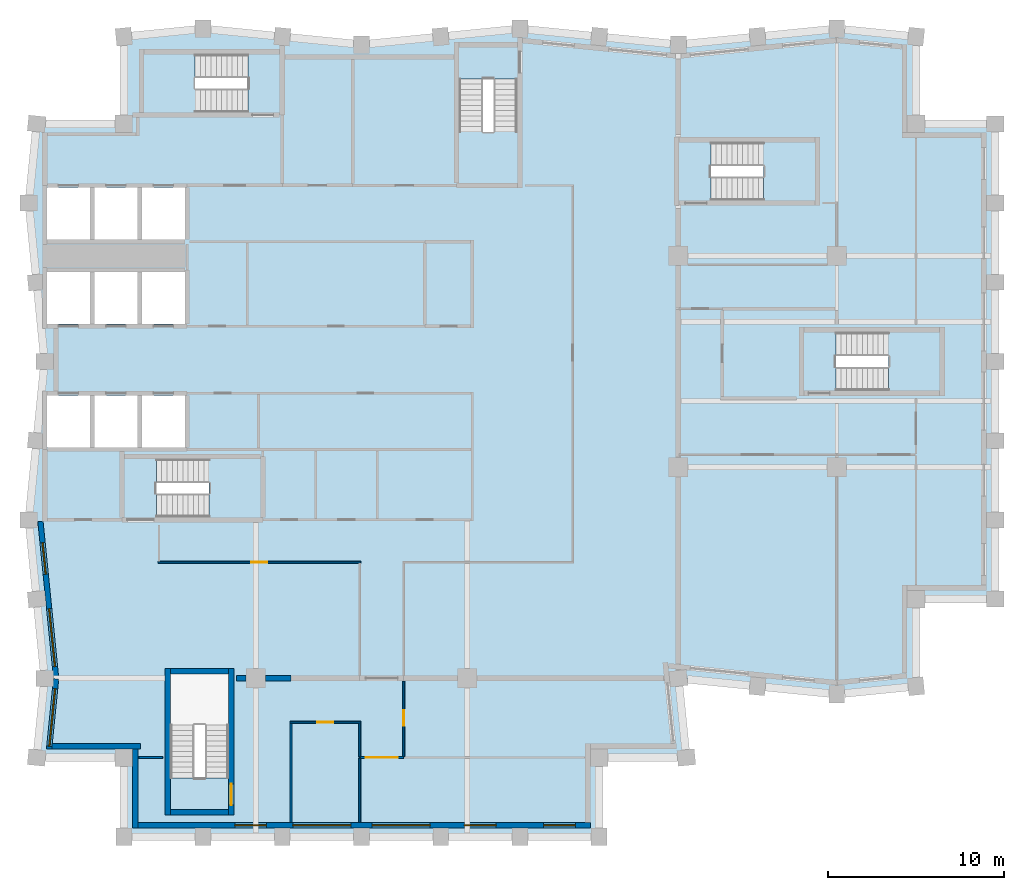
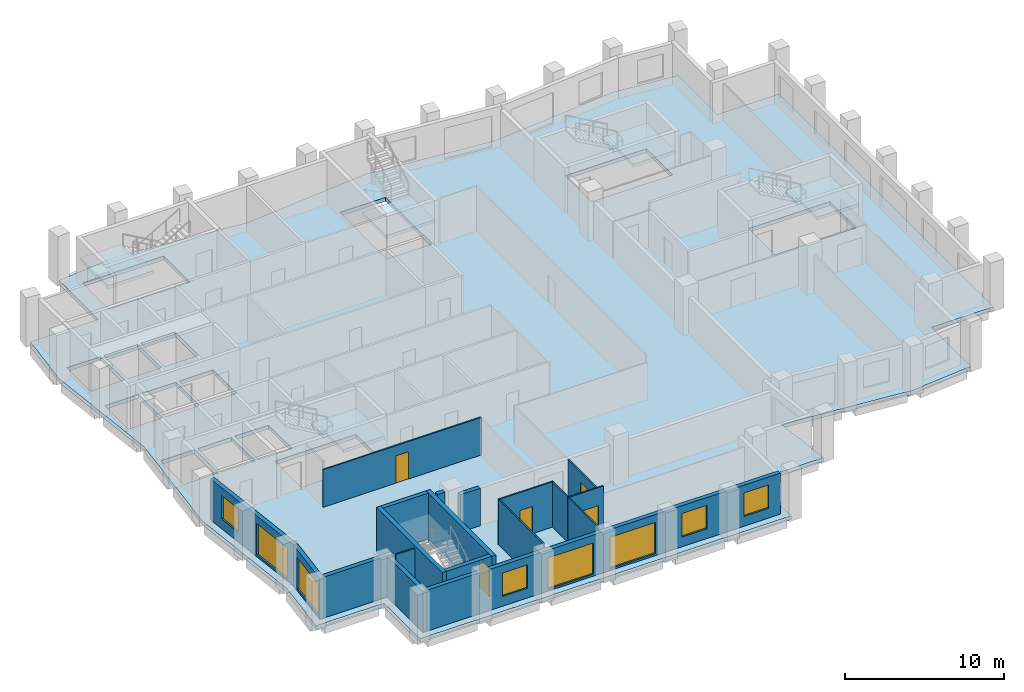
# One storey, part 2 of 7: 19 walls, 8 windows, 6 slabs, 5 doors, 13 openings, 5 elements without a shape of their own.
"""IFC4 building model written with IfcOpenShell, lengths in metres."""

from ifc_helpers import new_model, si_unit, direction, frame, frame_2d, origin, place, context, subcontext, project, spatial, polyline, rectangle, outline, extrude, material, layer, layer_set, type_object, element, fill, aggregate, save


model = new_model("IFC4")

# Units and contexts
model_context = context("Model", 3, precision=1e-05, world=origin(), true_north=direction((0.0, 1.0)))
body_context = subcontext(model_context, "Body", "Model", "MODEL_VIEW")
ifc_project = project(units=[si_unit("LENGTHUNIT", "METRE"), si_unit("AREAUNIT", "SQUARE_METRE"), si_unit("VOLUMEUNIT", "CUBIC_METRE"), si_unit("PLANEANGLEUNIT", "RADIAN"), si_unit("MASSUNIT", "GRAM", prefix="KILO")], contexts=[model_context])

# Site, building, storey
site_placement = place(None, origin())
site = spatial("IfcSite", under=ifc_project, at=site_placement, CompositionType="ELEMENT")
building_placement = place(site_placement, origin())
building = spatial("IfcBuilding", under=site, at=building_placement, Name="Brondeck Convention Tower", CompositionType="ELEMENT")
storey_placement = place(building_placement, frame((0.0, 0.0, 206.39990234375)))
storey = spatial("IfcBuildingStorey", under=building, at=storey_placement, Name="L50", CompositionType="ELEMENT", Elevation=206.39990234375)

# Slab
ifc_material_1 = material(Name="Concrete C35/45", Category="concrete")
ifc_layer_1 = layer(ifc_material_1, 0.300048828125)
ifc_layer_set_1 = layer_set([ifc_layer_1], Name="Composite floor slab 300")
slab_type_1 = type_object("IfcSlabType", Name="Composite floor slab 300", PredefinedType="FLOOR", material=ifc_layer_set_1)
slab_1_placement = place(storey_placement, frame((0.0, 0.0, -0.2998046875)))
element("IfcSlab", 1, at=slab_1_placement, inside=storey, type_object=slab_type_1, Name="STR-SL-L50", PredefinedType="FLOOR", context=body_context, shape_type="SweptSolid", body=[
    extrude(outline(polyline([(4.5, 22.5), (-0.449951171875, 22.5), (0.0, 27.0), (-0.89990234375, 36.0), (0.0, 45.0), (-0.89990234375, 54.0), (-0.449951171875, 58.5), (4.5, 58.5), (4.5, 63.449951171875), (9.0, 63.89990234375), (18.0, 63.0), (27.0, 63.89990234375), (36.0, 63.0), (45.0, 63.89990234375), (49.5, 63.449951171875), (49.5, 58.5), (54.0, 58.5), (54.0, 31.5), (49.5, 31.5), (49.5, 26.550048828125), (45.0, 26.10009765625), (36.0, 27.0), (36.449951171875, 22.5), (31.5, 22.5), (31.5, 18.0), (4.5, 18.0), (4.5, 22.5)]), holes=[polyline([(2.574951171875, 43.074951171875), (0.125, 43.074951171875), (0.125, 40.125), (2.574951171875, 40.125), (2.574951171875, 43.074951171875)]), polyline([(5.27490234375, 40.125), (5.27490234375, 43.074951171875), (2.824951171875, 43.074951171875), (2.824951171875, 40.125), (5.27490234375, 40.125)]), polyline([(7.97509765625, 40.125), (7.97509765625, 43.074951171875), (5.52490234375, 43.074951171875), (5.52490234375, 40.125), (7.97509765625, 40.125)]), polyline([(2.574951171875, 47.125), (2.574951171875, 50.074951171875), (0.125, 50.074951171875), (0.125, 47.125), (2.574951171875, 47.125)]), polyline([(5.27490234375, 47.125), (5.27490234375, 50.074951171875), (2.824951171875, 50.074951171875), (2.824951171875, 47.125), (5.27490234375, 47.125)]), polyline([(7.97509765625, 47.125), (7.97509765625, 50.074951171875), (5.52490234375, 50.074951171875), (5.52490234375, 47.125), (7.97509765625, 47.125)]), polyline([(2.574951171875, 51.925048828125), (2.574951171875, 54.875), (0.125, 54.875), (0.125, 51.925048828125), (2.574951171875, 51.925048828125)]), polyline([(5.27490234375, 51.925048828125), (5.27490234375, 54.875), (2.824951171875, 54.875), (2.824951171875, 51.925048828125), (5.27490234375, 51.925048828125)]), polyline([(10.447998046875, 27.248046875), (7.152099609375, 27.248046875), (7.152099609375, 21.35205078125), (10.447998046875, 21.35205078125), (10.447998046875, 27.248046875)]), polyline([(12.248046875, 36.152099609375), (12.248046875, 39.447998046875), (6.35205078125, 39.447998046875), (6.35205078125, 36.152099609375), (12.248046875, 36.152099609375)]), polyline([(50.847900390625, 43.35205078125), (50.847900390625, 46.64794921875), (44.951904296875, 46.64794921875), (44.951904296875, 43.35205078125), (50.847900390625, 43.35205078125)]), polyline([(7.97509765625, 51.925048828125), (7.97509765625, 54.875), (5.52490234375, 54.875), (5.52490234375, 51.925048828125), (7.97509765625, 51.925048828125)]), polyline([(43.748046875, 54.152099609375), (43.748046875, 57.447998046875), (37.85205078125, 57.447998046875), (37.85205078125, 54.152099609375), (43.748046875, 54.152099609375)]), polyline([(23.552001953125, 55.152099609375), (26.847900390625, 55.152099609375), (26.847900390625, 61.048095703125), (23.552001953125, 61.048095703125), (23.552001953125, 55.152099609375)]), polyline([(5.652099609375, 62.447998046875), (5.652099609375, 59.152099609375), (11.548095703125, 59.152099609375), (11.548095703125, 62.447998046875), (5.652099609375, 62.447998046875)])]), origin(), (0.0, 0.0, 1.0), 0.2998046875),
])

# Stair, slab
ifc_material_2 = material(Name="Precast concrete C50/60", Category="concrete")
stair_type = type_object("IfcStairType", Name="Core stair 22 risers 172.73 mm riser 300 mm going 1350 wide", PredefinedType="HALF_TURN_STAIR", material=ifc_material_2)
stair_1_placement = place(storey_placement, origin())
stair_1 = element("IfcStair", 2, at=stair_1_placement, inside=storey, type_object=stair_type, Name="ST-1 L50 stair", PredefinedType="HALF_TURN_STAIR")
ifc_layer_2 = layer(ifc_material_2, 0.25)
ifc_layer_set_2 = layer_set([ifc_layer_2], Name="Core stair landing 250 Precast concrete C50/60")
slab_type_2 = type_object("IfcSlabType", Name="Core stair landing 250 Precast concrete C50/60", PredefinedType="LANDING", material=ifc_layer_set_2)
slab_2_placement = place(storey_placement, frame((0.0, 0.0, 1.650146484375)))
slab_2 = element("IfcSlab", 3, at=slab_2_placement, type_object=slab_type_2, Name="ST-1 landing 1", PredefinedType="LANDING", context=body_context, shape_type="SweptSolid", body=[
    extrude(outline(polyline([(9.347900390625, 37.5), (9.35009765625, 37.5), (9.35009765625, 38.10009765625), (9.050048828125, 38.10009765625), (9.050048828125, 39.570068359375), (12.3701171875, 39.570068359375), (12.3701171875, 36.030029296875), (9.347900390625, 36.030029296875), (9.347900390625, 37.5)])), origin(), (0.0, 0.0, 1.0), 0.25),
])
aggregate(stair_1, [slab_2])

stair_2_placement = place(storey_placement, origin())
stair_2 = element("IfcStair", 4, at=stair_2_placement, inside=storey, type_object=stair_type, Name="ST-2 L50 stair", PredefinedType="HALF_TURN_STAIR")
slab_3_placement = place(storey_placement, frame((0.0, 0.0, 1.650146484375)))
slab_3 = element("IfcSlab", 5, at=slab_3_placement, type_object=slab_type_2, Name="ST-2 landing 1", PredefinedType="LANDING", context=body_context, shape_type="SweptSolid", body=[
    extrude(outline(polyline([(23.429931640625, 58.052001953125), (24.89990234375, 58.052001953125), (24.89990234375, 58.050048828125), (25.5, 58.050048828125), (25.5, 58.35009765625), (26.969970703125, 58.35009765625), (26.969970703125, 55.030029296875), (23.429931640625, 55.030029296875), (23.429931640625, 58.052001953125)])), origin(), (0.0, 0.0, 1.0), 0.25),
])
aggregate(stair_2, [slab_3])

stair_3_placement = place(storey_placement, origin())
stair_3 = element("IfcStair", 6, at=stair_3_placement, inside=storey, type_object=stair_type, Name="ST-3 L50 stair", PredefinedType="HALF_TURN_STAIR")
slab_4_placement = place(storey_placement, frame((0.0, 0.0, 1.650146484375)))
slab_4 = element("IfcSlab", 7, at=slab_4_placement, type_object=slab_type_2, Name="ST-3 landing 1", PredefinedType="LANDING", context=body_context, shape_type="SweptSolid", body=[
    extrude(outline(polyline([(8.85009765625, 60.5), (8.85009765625, 59.030029296875), (5.530029296875, 59.030029296875), (5.530029296875, 62.570068359375), (8.552001953125, 62.570068359375), (8.552001953125, 61.10009765625), (8.550048828125, 61.10009765625), (8.550048828125, 60.5), (8.85009765625, 60.5)])), origin(), (0.0, 0.0, 1.0), 0.25),
])
aggregate(stair_3, [slab_4])

stair_4_placement = place(storey_placement, origin())
stair_4 = element("IfcStair", 8, at=stair_4_placement, inside=storey, type_object=stair_type, Name="ST-AE L50 stair", PredefinedType="HALF_TURN_STAIR")
slab_5_placement = place(storey_placement, frame((0.0, 0.0, 1.650146484375)))
slab_5 = element("IfcSlab", 9, at=slab_5_placement, type_object=slab_type_2, Name="ST-AE landing 1", PredefinedType="LANDING", context=body_context, shape_type="SweptSolid", body=[
    extrude(outline(polyline([(40.847900390625, 55.5), (40.85009765625, 55.5), (40.85009765625, 56.10009765625), (40.550048828125, 56.10009765625), (40.550048828125, 57.570068359375), (43.8701171875, 57.570068359375), (43.8701171875, 54.030029296875), (40.847900390625, 54.030029296875), (40.847900390625, 55.5)])), origin(), (0.0, 0.0, 1.0), 0.25),
])
aggregate(stair_4, [slab_5])

stair_5_placement = place(storey_placement, origin())
stair_5 = element("IfcStair", 10, at=stair_5_placement, inside=storey, type_object=stair_type, Name="ST-AF L50 stair", PredefinedType="HALF_TURN_STAIR")
slab_6_placement = place(storey_placement, frame((0.0, 0.0, 1.650146484375)))
slab_6 = element("IfcSlab", 11, at=slab_6_placement, type_object=slab_type_2, Name="ST-AF landing 1", PredefinedType="LANDING", context=body_context, shape_type="SweptSolid", body=[
    extrude(outline(polyline([(47.947998046875, 44.699951171875), (47.949951171875, 44.699951171875), (47.949951171875, 45.300048828125), (47.64990234375, 45.300048828125), (47.64990234375, 46.77001953125), (50.969970703125, 46.77001953125), (50.969970703125, 43.22998046875), (47.947998046875, 43.22998046875), (47.947998046875, 44.699951171875)])), origin(), (0.0, 0.0, 1.0), 0.25),
])
aggregate(stair_5, [slab_6])

# Walls
ifc_material_3 = material(Name="Concrete compartment wall C30/37", Category="concrete")
ifc_layer_3 = layer(ifc_material_3, 0.300048828125)
ifc_layer_set_3 = layer_set([ifc_layer_3], Name="Compartment wall 300")
wall_type_1 = type_object("IfcWallType", Name="Compartment wall 300", PredefinedType="PARTITIONING", material=ifc_layer_set_3)
wall_1_placement = place(storey_placement, frame((10.89990234375, 27.0, 0.0), z_axis=(0.0, 0.0, 1.0), x_axis=(1.0, 0.0, 0.0)))
element("IfcWall", 12, at=wall_1_placement, inside=storey, type_object=wall_type_1, Name="FLR-L50-W013", PredefinedType="PARTITIONING", context=body_context, shape_type="SweptSolid", body=[
    extrude(rectangle(XDim=0.545166015625, YDim=0.300048828125, at=frame_2d((0.2724609375, 0.0))), origin(), (0.0, 0.0, 1.0), 3.47998046875),
])
wall_2_placement = place(storey_placement, frame((12.554931640625, 27.0, 0.0), z_axis=(0.0, 0.0, 1.0), x_axis=(1.0, 0.0, 0.0)))
element("IfcWall", 13, at=wall_2_placement, inside=storey, type_object=wall_type_1, Name="FLR-L50-W014", PredefinedType="PARTITIONING", context=body_context, shape_type="SweptSolid", body=[
    extrude(rectangle(XDim=1.445068359375, YDim=0.300048828125, at=frame_2d((0.72265625, 0.0))), origin(), (0.0, 0.0, 1.0), 2.880126953125),
])

# Wall, openings, windows
ifc_material_4 = material(Name="Precast concrete C50/60 bronze finish", Category="concrete")
ifc_layer_4 = layer(ifc_material_4, 0.070068359375, Name="Bronze precast facing")
ifc_material_5 = material(Name="Mineral wool")
ifc_layer_5 = layer(ifc_material_5, 0.159912109375, Name="Insulation")
ifc_layer_6 = layer(ifc_material_1, 0.070068359375, Name="Backing")
ifc_layer_set_4 = layer_set([ifc_layer_4, ifc_layer_5, ifc_layer_6], Name="External infill wall, precast concrete C50/60 bronze facing")
wall_type_2 = type_object("IfcWallType", Name="External infill wall, precast concrete C50/60 bronze facing", PredefinedType="SOLIDWALL", material=ifc_layer_set_4)
wall_3_placement = place(storey_placement, frame((31.0, 18.64990234375, 0.0), z_axis=(0.0, 0.0, 1.0), x_axis=(-1.0, 0.0, 0.0)))
wall_3 = element("IfcWall", 14, at=wall_3_placement, inside=storey, type_object=wall_type_2, Name="ENV-EW-L50-P2-B-S18-01", PredefinedType="SOLIDWALL", context=body_context, shape_type="SweptSolid", body=[
    extrude(rectangle(XDim=25.699951171875, YDim=0.300048828125, at=frame_2d((12.85009765625, 0.0))), origin(), (0.0, 0.0, 1.0), 3.150146484375),
])
opening_1_placement = place(wall_3_placement, frame((0.85009765625, 0.0, 0.75)))
opening_1 = element("IfcOpeningElement", 15, at=opening_1_placement, cuts=wall_3, Name="Opening W10", PredefinedType="OPENING", context=body_context, shape_type="SweptSolid", body=[
    extrude(rectangle(XDim=1.800048828125, YDim=1.800048828125, at=frame_2d((0.89990234375, 0.89990234375))), frame((0.0, 0.159912109375, 0.0), z_axis=(0.0, -1.0, 0.0), x_axis=(1.0, 0.0, 0.0)), (0.0, 0.0, 1.0), 0.320068359375),
])
opening_2_placement = place(wall_3_placement, frame((5.35009765625, 0.0, 0.75)))
opening_2 = element("IfcOpeningElement", 16, at=opening_2_placement, cuts=wall_3, Name="Opening W10", PredefinedType="OPENING", context=body_context, shape_type="SweptSolid", body=[
    extrude(rectangle(XDim=1.800048828125, YDim=1.800048828125, at=frame_2d((0.89990234375, 0.89990234375))), frame((0.0, 0.159912109375, 0.0), z_axis=(0.0, -1.0, 0.0), x_axis=(1.0, 0.0, 0.0)), (0.0, 0.0, 1.0), 0.320068359375),
])
opening_3_placement = place(wall_3_placement, frame((9.10009765625, 0.0, 0.14990234375)))
opening_3 = element("IfcOpeningElement", 17, at=opening_3_placement, cuts=wall_3, Name="Opening W9", PredefinedType="OPENING", context=body_context, shape_type="SweptSolid", body=[
    extrude(rectangle(XDim=3.300048828125, YDim=2.39990234375, at=frame_2d((1.64990234375, 1.199951171875))), frame((0.0, 0.159912109375, 0.0), z_axis=(0.0, -1.0, 0.0), x_axis=(1.0, 0.0, 0.0)), (0.0, 0.0, 1.0), 0.320068359375),
])
opening_4_placement = place(wall_3_placement, frame((13.60009765625, 0.0, 0.14990234375)))
opening_4 = element("IfcOpeningElement", 18, at=opening_4_placement, cuts=wall_3, Name="Opening W9", PredefinedType="OPENING", context=body_context, shape_type="SweptSolid", body=[
    extrude(rectangle(XDim=3.300048828125, YDim=2.39990234375, at=frame_2d((1.64990234375, 1.199951171875))), frame((0.0, 0.159912109375, 0.0), z_axis=(0.0, -1.0, 0.0), x_axis=(1.0, 0.0, 0.0)), (0.0, 0.0, 1.0), 0.320068359375),
])
opening_5_placement = place(wall_3_placement, frame((18.39990234375, 0.0, 0.75)))
opening_5 = element("IfcOpeningElement", 19, at=opening_5_placement, cuts=wall_3, Name="Opening W10", PredefinedType="OPENING", context=body_context, shape_type="SweptSolid", body=[
    extrude(rectangle(XDim=1.800048828125, YDim=1.800048828125, at=frame_2d((0.89990234375, 0.89990234375))), frame((0.0, 0.159912109375, 0.0), z_axis=(0.0, -1.0, 0.0), x_axis=(1.0, 0.0, 0.0)), (0.0, 0.0, 1.0), 0.320068359375),
])
ifc_material_6 = material(Name="Bronze tinted double glazing", Category="glass")
window_type_1 = type_object("IfcWindowType", Name="Glazed flute window, bronze tinted", PartitioningType="SINGLE_PANEL", PredefinedType="WINDOW", material=ifc_material_6)
window_1_placement = place(opening_3_placement, origin())
window_1 = element("IfcWindow", 20, at=window_1_placement, inside=storey, type_object=window_type_1, Name="ENV-WN-L50-P2-B-S18-04", OverallHeight=2.39990234375, OverallWidth=3.300048828125, PartitioningType="SINGLE_PANEL", PredefinedType="WINDOW", context=body_context, shape_type="SweptSolid", body=[
    extrude(rectangle(XDim=3.300048828125, YDim=2.39990234375, at=frame_2d((1.64990234375, 1.199951171875))), frame((0.0, 0.030029296875, 0.0), z_axis=(0.0, -1.0, 0.0), x_axis=(1.0, 0.0, 0.0)), (0.0, 0.0, 1.0), 0.06005859375),
])
fill(opening_3, window_1)
window_2_placement = place(opening_4_placement, origin())
window_2 = element("IfcWindow", 21, at=window_2_placement, inside=storey, type_object=window_type_1, Name="ENV-WN-L50-P2-B-S18-03", OverallHeight=2.39990234375, OverallWidth=3.300048828125, PartitioningType="SINGLE_PANEL", PredefinedType="WINDOW", context=body_context, shape_type="SweptSolid", body=[
    extrude(rectangle(XDim=3.300048828125, YDim=2.39990234375, at=frame_2d((1.64990234375, 1.199951171875))), frame((0.0, 0.030029296875, 0.0), z_axis=(0.0, -1.0, 0.0), x_axis=(1.0, 0.0, 0.0)), (0.0, 0.0, 1.0), 0.06005859375),
])
fill(opening_4, window_2)
window_type_2 = type_object("IfcWindowType", Name="Punched window, bronze tinted", PartitioningType="SINGLE_PANEL", PredefinedType="WINDOW", material=ifc_material_6)
window_3_placement = place(opening_1_placement, origin())
window_3 = element("IfcWindow", 22, at=window_3_placement, inside=storey, type_object=window_type_2, Name="ENV-WN-L50-P2-B-S18-06", OverallHeight=1.800048828125, OverallWidth=1.800048828125, PartitioningType="SINGLE_PANEL", PredefinedType="WINDOW", context=body_context, shape_type="SweptSolid", body=[
    extrude(rectangle(XDim=1.800048828125, YDim=1.800048828125, at=frame_2d((0.89990234375, 0.89990234375))), frame((0.0, 0.030029296875, 0.0), z_axis=(0.0, -1.0, 0.0), x_axis=(1.0, 0.0, 0.0)), (0.0, 0.0, 1.0), 0.06005859375),
])
fill(opening_1, window_3)
window_4_placement = place(opening_2_placement, origin())
window_4 = element("IfcWindow", 23, at=window_4_placement, inside=storey, type_object=window_type_2, Name="ENV-WN-L50-P2-B-S18-05", OverallHeight=1.800048828125, OverallWidth=1.800048828125, PartitioningType="SINGLE_PANEL", PredefinedType="WINDOW", context=body_context, shape_type="SweptSolid", body=[
    extrude(rectangle(XDim=1.800048828125, YDim=1.800048828125, at=frame_2d((0.89990234375, 0.89990234375))), frame((0.0, 0.030029296875, 0.0), z_axis=(0.0, -1.0, 0.0), x_axis=(1.0, 0.0, 0.0)), (0.0, 0.0, 1.0), 0.06005859375),
])
fill(opening_2, window_4)
window_5_placement = place(opening_5_placement, origin())
window_5 = element("IfcWindow", 24, at=window_5_placement, inside=storey, type_object=window_type_2, Name="ENV-WN-L50-P2-B-S18-02", OverallHeight=1.800048828125, OverallWidth=1.800048828125, PartitioningType="SINGLE_PANEL", PredefinedType="WINDOW", context=body_context, shape_type="SweptSolid", body=[
    extrude(rectangle(XDim=1.800048828125, YDim=1.800048828125, at=frame_2d((0.89990234375, 0.89990234375))), frame((0.0, 0.030029296875, 0.0), z_axis=(0.0, -1.0, 0.0), x_axis=(1.0, 0.0, 0.0)), (0.0, 0.0, 1.0), 0.06005859375),
])
fill(opening_5, window_5)

wall_4_placement = place(storey_placement, frame((0.65478515625, 26.985107421875, 0.0), z_axis=(0.0, 0.0, 1.0), x_axis=(-0.099509105781, 0.995036651519, 0.0)))
wall_4 = element("IfcWall", 25, at=wall_4_placement, inside=storey, type_object=wall_type_2, Name="ENV-EW-L50-P2-B-W-06", PredefinedType="SOLIDWALL", context=body_context, shape_type="SweptSolid", body=[
    extrude(rectangle(XDim=8.974609375, YDim=0.300048828125, at=frame_2d((4.4873046875, 0.0))), origin(), (0.0, 0.0, 1.0), 3.150146484375),
])
opening_6_placement = place(wall_4_placement, frame((0.691162109375, 0.0, 0.14990234375)))
opening_6 = element("IfcOpeningElement", 26, at=opening_6_placement, cuts=wall_4, Name="Opening W9", PredefinedType="OPENING", context=body_context, shape_type="SweptSolid", body=[
    extrude(rectangle(XDim=3.300048828125, YDim=2.39990234375, at=frame_2d((1.64990234375, 1.199951171875))), frame((0.0, 0.159912109375, 0.0), z_axis=(0.0, -1.0, 0.0), x_axis=(1.0, 0.0, 0.0)), (0.0, 0.0, 1.0), 0.320068359375),
])
opening_7_placement = place(wall_4_placement, frame((5.963623046875, 0.0, 0.75)))
opening_7 = element("IfcOpeningElement", 27, at=opening_7_placement, cuts=wall_4, Name="Opening W10", PredefinedType="OPENING", context=body_context, shape_type="SweptSolid", body=[
    extrude(rectangle(XDim=1.800048828125, YDim=1.800048828125, at=frame_2d((0.89990234375, 0.89990234375))), frame((0.0, 0.159912109375, 0.0), z_axis=(0.0, -1.0, 0.0), x_axis=(1.0, 0.0, 0.0)), (0.0, 0.0, 1.0), 0.320068359375),
])
window_6_placement = place(opening_6_placement, origin())
window_6 = element("IfcWindow", 28, at=window_6_placement, inside=storey, type_object=window_type_1, Name="ENV-WN-L50-P2-B-W-07", OverallHeight=2.39990234375, OverallWidth=3.300048828125, PartitioningType="SINGLE_PANEL", PredefinedType="WINDOW", context=body_context, shape_type="SweptSolid", body=[
    extrude(rectangle(XDim=3.300048828125, YDim=2.39990234375, at=frame_2d((1.64990234375, 1.199951171875))), frame((0.0, 0.030029296875, 0.0), z_axis=(0.0, -1.0, 0.0), x_axis=(1.0, 0.0, 0.0)), (0.0, 0.0, 1.0), 0.06005859375),
])
fill(opening_6, window_6)
window_7_placement = place(opening_7_placement, origin())
window_7 = element("IfcWindow", 29, at=window_7_placement, inside=storey, type_object=window_type_2, Name="ENV-WN-L50-P2-B-W-06", OverallHeight=1.800048828125, OverallWidth=1.800048828125, PartitioningType="SINGLE_PANEL", PredefinedType="WINDOW", context=body_context, shape_type="SweptSolid", body=[
    extrude(rectangle(XDim=1.800048828125, YDim=1.800048828125, at=frame_2d((0.89990234375, 0.89990234375))), frame((0.0, 0.030029296875, 0.0), z_axis=(0.0, -1.0, 0.0), x_axis=(1.0, 0.0, 0.0)), (0.0, 0.0, 1.0), 0.06005859375),
])
fill(opening_7, window_7)

# Wall, opening, window
wall_5_placement = place(storey_placement, frame((0.251708984375, 22.985107421875, 0.0), z_axis=(0.0, 0.0, 1.0), x_axis=(0.09954596771, 0.995032964435, 0.0)))
wall_5 = element("IfcWall", 30, at=wall_5_placement, inside=storey, type_object=wall_type_2, Name="ENV-EW-L50-P2-B-W-08", PredefinedType="SOLIDWALL", context=body_context, shape_type="SweptSolid", body=[
    extrude(rectangle(XDim=4.0048828125, YDim=0.300048828125, at=frame_2d((2.00244140625, 0.0))), origin(), (0.0, 0.0, 1.0), 3.150146484375),
])
opening_8_placement = place(wall_5_placement, frame((0.14990234375, 0.0, 0.14990234375)))
opening_8 = element("IfcOpeningElement", 31, at=opening_8_placement, cuts=wall_5, Name="Opening W9", PredefinedType="OPENING", context=body_context, shape_type="SweptSolid", body=[
    extrude(rectangle(XDim=3.300048828125, YDim=2.39990234375, at=frame_2d((1.64990234375, 1.199951171875))), frame((0.0, 0.159912109375, 0.0), z_axis=(0.0, -1.0, 0.0), x_axis=(1.0, 0.0, 0.0)), (0.0, 0.0, 1.0), 0.320068359375),
])
window_8_placement = place(opening_8_placement, origin())
window_8 = element("IfcWindow", 32, at=window_8_placement, inside=storey, type_object=window_type_1, Name="ENV-WN-L50-P2-B-W-08", OverallHeight=2.39990234375, OverallWidth=3.300048828125, PartitioningType="SINGLE_PANEL", PredefinedType="WINDOW", context=body_context, shape_type="SweptSolid", body=[
    extrude(rectangle(XDim=3.300048828125, YDim=2.39990234375, at=frame_2d((1.64990234375, 1.199951171875))), frame((0.0, 0.030029296875, 0.0), z_axis=(0.0, -1.0, 0.0), x_axis=(1.0, 0.0, 0.0)), (0.0, 0.0, 1.0), 0.06005859375),
])
fill(opening_8, window_8)

# Walls
wall_6_placement = place(storey_placement, frame((5.449951171875, 23.14990234375, 0.0), z_axis=(0.0, 0.0, 1.0), x_axis=(-1.0, 0.0, 0.0)))
element("IfcWall", 33, at=wall_6_placement, inside=storey, type_object=wall_type_2, Name="ENV-EW-L50-P2-NC-SWB18-01", PredefinedType="SOLIDWALL", context=body_context, shape_type="SweptSolid", body=[
    extrude(rectangle(XDim=5.025634765625, YDim=0.300048828125, at=frame_2d((2.5126953125, 0.0))), origin(), (0.0, 0.0, 1.0), 3.150146484375),
])
wall_7_placement = place(storey_placement, frame((5.14990234375, 18.5, 0.0), z_axis=(0.0, 0.0, 1.0), x_axis=(0.0, 1.0, 0.0)))
element("IfcWall", 34, at=wall_7_placement, inside=storey, type_object=wall_type_2, Name="ENV-EW-L50-P2-NC-SWB18-02", PredefinedType="SOLIDWALL", context=body_context, shape_type="SweptSolid", body=[
    extrude(rectangle(XDim=4.5, YDim=0.300048828125, at=frame_2d((2.25, 0.0))), origin(), (0.0, 0.0, 1.0), 3.150146484375),
])
ifc_material_7 = material(Name="Gypsum board partition on steel studs", Category="steel")
ifc_layer_7 = layer(ifc_material_7, 0.10009765625)
ifc_layer_set_5 = layer_set([ifc_layer_7], Name="Room partition 100")
wall_type_3 = type_object("IfcWallType", Name="Room partition 100", PredefinedType="PARTITIONING", material=ifc_layer_set_5)
wall_8_placement = place(storey_placement, frame((17.89990234375, 22.449951171875, 0.0), z_axis=(0.0, 0.0, 1.0), x_axis=(0.0, -1.0, 0.0)))
element("IfcWall", 35, at=wall_8_placement, inside=storey, type_object=wall_type_3, Name="FLR-L50-W001", PredefinedType="PARTITIONING", context=body_context, shape_type="SweptSolid", body=[
    extrude(rectangle(XDim=3.6298828125, YDim=0.10009765625, at=frame_2d((1.81494140625, 0.0))), origin(), (0.0, 0.0, 1.0), 3.47998046875),
])
wall_9_placement = place(storey_placement, frame((5.35009765625, 22.5, 0.0), z_axis=(0.0, 0.0, 1.0), x_axis=(1.0, 0.0, 0.0)))
element("IfcWall", 36, at=wall_9_placement, inside=storey, type_object=wall_type_3, Name="FLR-L50-W002", PredefinedType="PARTITIONING", context=body_context, shape_type="SweptSolid", body=[
    extrude(rectangle(XDim=1.349853515625, YDim=0.10009765625, at=frame_2d((0.6748046875, 0.0))), origin(), (0.0, 0.0, 1.0), 3.47998046875),
])

# Wall, opening, door
wall_10_placement = place(storey_placement, frame((20.39990234375, 22.5, 0.0), z_axis=(0.0, 0.0, 1.0), x_axis=(-1.0, 0.0, 0.0)))
wall_10 = element("IfcWall", 37, at=wall_10_placement, inside=storey, type_object=wall_type_3, Name="FLR-L50-W003", PredefinedType="PARTITIONING", context=body_context, shape_type="SweptSolid", body=[
    extrude(rectangle(XDim=2.449951171875, YDim=0.10009765625, at=frame_2d((1.22509765625, 0.0))), origin(), (0.0, 0.0, 1.0), 3.47998046875),
])
opening_9_placement = place(wall_10_placement, frame((0.35009765625, 0.0, 0.0)))
opening_9 = element("IfcOpeningElement", 38, at=opening_9_placement, cuts=wall_10, Name="Opening OF-K2-007", PredefinedType="OPENING", context=body_context, shape_type="SweptSolid", body=[
    extrude(rectangle(XDim=1.800048828125, YDim=2.10009765625, at=frame_2d((0.89990234375, 1.050048828125))), frame((0.0, 0.06005859375, 0.0), z_axis=(0.0, -1.0, 0.0), x_axis=(1.0, 0.0, 0.0)), (0.0, 0.0, 1.0), 0.1201171875),
])
ifc_material_8 = material(Name="Glazed timber double door", Category="wood")
door_type_1 = type_object("IfcDoorType", Name="Double door 1800", OperationType="DOUBLE_DOOR_SINGLE_SWING", PredefinedType="DOOR", material=ifc_material_8)
door_1_placement = place(opening_9_placement, origin())
door_1 = element("IfcDoor", 39, at=door_1_placement, inside=storey, type_object=door_type_1, Name="Door OF-K2-007", OperationType="DOUBLE_DOOR_SINGLE_SWING", OverallHeight=2.10009765625, OverallWidth=1.800048828125, PredefinedType="DOOR", context=body_context, shape_type="SweptSolid", body=[
    extrude(rectangle(XDim=1.800048828125, YDim=2.10009765625, at=frame_2d((0.89990234375, 1.050048828125))), frame((0.0, 0.02490234375, 0.0), z_axis=(0.0, -1.0, 0.0), x_axis=(1.0, 0.0, 0.0)), (0.0, 0.0, 1.0), 0.050048828125),
])
fill(opening_9, door_1)

# Walls
wall_11_placement = place(storey_placement, frame((17.89990234375, 22.550048828125, 0.0), z_axis=(0.0, 0.0, 1.0), x_axis=(0.0, 1.0, 0.0)))
element("IfcWall", 40, at=wall_11_placement, inside=storey, type_object=wall_type_3, Name="FLR-L50-W006", PredefinedType="PARTITIONING", context=body_context, shape_type="SweptSolid", body=[
    extrude(rectangle(XDim=1.89990234375, YDim=0.10009765625, at=frame_2d((0.949951171875, 0.0))), origin(), (0.0, 0.0, 1.0), 3.47998046875),
])
wall_12_placement = place(storey_placement, frame((14.0, 24.449951171875, 0.0), z_axis=(0.0, 0.0, 1.0), x_axis=(0.0, -1.0, 0.0)))
element("IfcWall", 41, at=wall_12_placement, inside=storey, type_object=wall_type_3, Name="FLR-L50-W009", PredefinedType="PARTITIONING", context=body_context, shape_type="SweptSolid", body=[
    extrude(rectangle(XDim=5.6298828125, YDim=0.10009765625, at=frame_2d((2.81494140625, 0.0))), origin(), (0.0, 0.0, 1.0), 3.47998046875),
])

# Wall, opening, door
wall_13_placement = place(storey_placement, frame((17.949951171875, 24.5, 0.0), z_axis=(0.0, 0.0, 1.0), x_axis=(-1.0, 0.0, 0.0)))
wall_13 = element("IfcWall", 42, at=wall_13_placement, inside=storey, type_object=wall_type_3, Name="FLR-L50-W010", PredefinedType="PARTITIONING", context=body_context, shape_type="SweptSolid", body=[
    extrude(rectangle(XDim=4.0, YDim=0.10009765625, at=frame_2d((2.0, 0.0))), origin(), (0.0, 0.0, 1.0), 3.47998046875),
])
opening_10_placement = place(wall_13_placement, frame((1.550048828125, 0.0, 0.0)))
opening_10 = element("IfcOpeningElement", 43, at=opening_10_placement, cuts=wall_13, Name="Opening OF-K2-002", PredefinedType="OPENING", context=body_context, shape_type="SweptSolid", body=[
    extrude(rectangle(XDim=0.89990234375, YDim=2.10009765625, at=frame_2d((0.449951171875, 1.050048828125))), frame((0.0, 0.06005859375, 0.0), z_axis=(0.0, -1.0, 0.0), x_axis=(1.0, 0.0, 0.0)), (0.0, 0.0, 1.0), 0.1201171875),
])
ifc_material_9 = material(Name="Solid timber door leaf", Category="wood")
door_type_2 = type_object("IfcDoorType", Name="Single door 900", OperationType="NOTDEFINED", PredefinedType="DOOR", material=ifc_material_9)
door_2_placement = place(opening_10_placement, origin())
door_2 = element("IfcDoor", 44, at=door_2_placement, inside=storey, type_object=door_type_2, Name="Door OF-K2-002", OperationType="SINGLE_SWING_RIGHT", OverallHeight=2.10009765625, OverallWidth=0.89990234375, PredefinedType="DOOR", context=body_context, shape_type="SweptSolid", body=[
    extrude(rectangle(XDim=0.89990234375, YDim=2.10009765625, at=frame_2d((0.449951171875, 1.050048828125))), frame((0.0, 0.02490234375, 0.0), z_axis=(0.0, -1.0, 0.0), x_axis=(1.0, 0.0, 0.0)), (0.0, 0.0, 1.0), 0.050048828125),
])
fill(opening_10, door_2)

wall_14_placement = place(storey_placement, frame((20.39990234375, 26.830078125, 0.0), z_axis=(0.0, 0.0, 1.0), x_axis=(0.0, -1.0, 0.0)))
wall_14 = element("IfcWall", 45, at=wall_14_placement, inside=storey, type_object=wall_type_3, Name="FLR-L50-W011", PredefinedType="PARTITIONING", context=body_context, shape_type="SweptSolid", body=[
    extrude(rectangle(XDim=4.280029296875, YDim=0.10009765625, at=frame_2d((2.14013671875, 0.0))), origin(), (0.0, 0.0, 1.0), 2.880126953125),
])
opening_11_placement = place(wall_14_placement, frame((1.6298828125, 0.0, 0.0)))
opening_11 = element("IfcOpeningElement", 46, at=opening_11_placement, cuts=wall_14, Name="Opening OF-K2-008", PredefinedType="OPENING", context=body_context, shape_type="SweptSolid", body=[
    extrude(rectangle(XDim=0.89990234375, YDim=2.10009765625, at=frame_2d((0.449951171875, 1.050048828125))), frame((0.0, 0.06005859375, 0.0), z_axis=(0.0, -1.0, 0.0), x_axis=(1.0, 0.0, 0.0)), (0.0, 0.0, 1.0), 0.1201171875),
])
door_3_placement = place(opening_11_placement, origin())
door_3 = element("IfcDoor", 47, at=door_3_placement, inside=storey, type_object=door_type_2, Name="Door OF-K2-008", OperationType="SINGLE_SWING_LEFT", OverallHeight=2.10009765625, OverallWidth=0.89990234375, PredefinedType="DOOR", context=body_context, shape_type="SweptSolid", body=[
    extrude(rectangle(XDim=0.89990234375, YDim=2.10009765625, at=frame_2d((0.449951171875, 1.050048828125))), frame((0.0, 0.02490234375, 0.0), z_axis=(0.0, -1.0, 0.0), x_axis=(1.0, 0.0, 0.0)), (0.0, 0.0, 1.0), 0.050048828125),
])
fill(opening_11, door_3)

wall_15_placement = place(storey_placement, frame((17.949951171875, 33.60009765625, 0.0), z_axis=(0.0, 0.0, 1.0), x_axis=(-1.0, 0.0, 0.0)))
wall_15 = element("IfcWall", 48, at=wall_15_placement, inside=storey, type_object=wall_type_3, Name="FLR-L50-W025", PredefinedType="PARTITIONING", context=body_context, shape_type="SweptSolid", body=[
    extrude(rectangle(XDim=11.5, YDim=0.10009765625, at=frame_2d((5.75, 0.0))), origin(), (0.0, 0.0, 1.0), 2.880126953125),
])
opening_12_placement = place(wall_15_placement, frame((5.300048828125, 0.0, 0.0)))
opening_12 = element("IfcOpeningElement", 49, at=opening_12_placement, cuts=wall_15, Name="Opening OF-K2-009", PredefinedType="OPENING", context=body_context, shape_type="SweptSolid", body=[
    extrude(rectangle(XDim=0.89990234375, YDim=2.10009765625, at=frame_2d((0.449951171875, 1.050048828125))), frame((0.0, 0.06005859375, 0.0), z_axis=(0.0, -1.0, 0.0), x_axis=(1.0, 0.0, 0.0)), (0.0, 0.0, 1.0), 0.1201171875),
])
door_4_placement = place(opening_12_placement, origin())
door_4 = element("IfcDoor", 50, at=door_4_placement, inside=storey, type_object=door_type_2, Name="Door OF-K2-009", OperationType="SINGLE_SWING_LEFT", OverallHeight=2.10009765625, OverallWidth=0.89990234375, PredefinedType="DOOR", context=body_context, shape_type="SweptSolid", body=[
    extrude(rectangle(XDim=0.89990234375, YDim=2.10009765625, at=frame_2d((0.449951171875, 1.050048828125))), frame((0.0, 0.02490234375, 0.0), z_axis=(0.0, -1.0, 0.0), x_axis=(1.0, 0.0, 0.0)), (0.0, 0.0, 1.0), 0.050048828125),
])
fill(opening_12, door_4)

# Walls
ifc_material_10 = material(Name="Concrete C50/60", Category="concrete")
ifc_layer_8 = layer(ifc_material_10, 0.300048828125)
ifc_layer_set_6 = layer_set([ifc_layer_8], Name="Stair enclosure wall 300 Concrete C50/60")
wall_type_4 = type_object("IfcWallType", Name="Stair enclosure wall 300 Concrete C50/60", PredefinedType="SHEAR", material=ifc_layer_set_6)
for number, where, z_axis, x_axis, name in (
    (51, (7.14990234375, 19.39990234375, 0.0), (0.0, 0.0, 1.0), (1.0, 0.0, 0.0), "L50 core wall"),
    (52, (7.14990234375, 27.39990234375, 0.0), (0.0, 0.0, 1.0), (1.0, 0.0, 0.0), "L50 core wall"),
):
    element("IfcWall", number, at=place(storey_placement, frame(where, z_axis=z_axis, x_axis=x_axis)), inside=storey, type_object=wall_type_4, Name=name, PredefinedType="SHEAR", context=body_context, shape_type="SweptSolid", body=[
        extrude(rectangle(XDim=3.300048828125, YDim=0.300048828125, at=frame_2d((1.64990234375, 0.0))), origin(), (0.0, 0.0, 1.0), 3.5),
    ])
wall_16_placement = place(storey_placement, frame((7.0, 19.25, 0.0), z_axis=(0.0, 0.0, 1.0), x_axis=(0.0, 1.0, 0.0)))
element("IfcWall", 53, at=wall_16_placement, inside=storey, type_object=wall_type_4, Name="L50 core wall", PredefinedType="SHEAR", context=body_context, shape_type="SweptSolid", body=[
    extrude(rectangle(XDim=8.300048828125, YDim=0.300048828125, at=frame_2d((4.14990234375, 0.0))), origin(), (0.0, 0.0, 1.0), 3.5),
])

# Wall, opening, door
wall_17_placement = place(storey_placement, frame((10.60009765625, 19.25, 0.0), z_axis=(0.0, 0.0, 1.0), x_axis=(0.0, 1.0, 0.0)))
wall_17 = element("IfcWall", 54, at=wall_17_placement, inside=storey, type_object=wall_type_4, Name="L50 core wall", PredefinedType="SHEAR", context=body_context, shape_type="SweptSolid", body=[
    extrude(rectangle(XDim=8.300048828125, YDim=0.300048828125, at=frame_2d((4.14990234375, 0.0))), origin(), (0.0, 0.0, 1.0), 3.5),
])
opening_13_placement = place(wall_17_placement, frame((0.550048828125, 0.0, 0.0)))
opening_13 = element("IfcOpeningElement", 55, at=opening_13_placement, cuts=wall_17, Name="Opening C28-18", PredefinedType="OPENING", context=body_context, shape_type="SweptSolid", body=[
    extrude(rectangle(XDim=1.199951171875, YDim=2.199951171875, at=frame_2d((0.60009765625, 1.10009765625))), frame((0.0, 0.159912109375, 0.0), z_axis=(0.0, -1.0, 0.0), x_axis=(1.0, 0.0, 0.0)), (0.0, 0.0, 1.0), 0.320068359375),
])
ifc_material_11 = material(Name="Steel fire door", Category="steel")
door_type_3 = type_object("IfcDoorType", Name="Stair door 1200x2200 EI 90", OperationType="NOTDEFINED", PredefinedType="DOOR", material=ifc_material_11)
door_5_placement = place(opening_13_placement, origin())
door_5 = element("IfcDoor", 56, at=door_5_placement, inside=storey, type_object=door_type_3, Name="L50 Stair door ST-BE", OperationType="SINGLE_SWING_RIGHT", OverallHeight=2.199951171875, OverallWidth=1.199951171875, PredefinedType="DOOR", context=body_context, shape_type="SweptSolid", body=[
    extrude(rectangle(XDim=1.199951171875, YDim=2.199951171875, at=frame_2d((0.60009765625, 1.10009765625))), frame((0.0, 0.02490234375, 0.0), z_axis=(0.0, -1.0, 0.0), x_axis=(1.0, 0.0, 0.0)), (0.0, 0.0, 1.0), 0.050048828125),
])
fill(opening_13, door_5)

save(model, "model.ifc")
